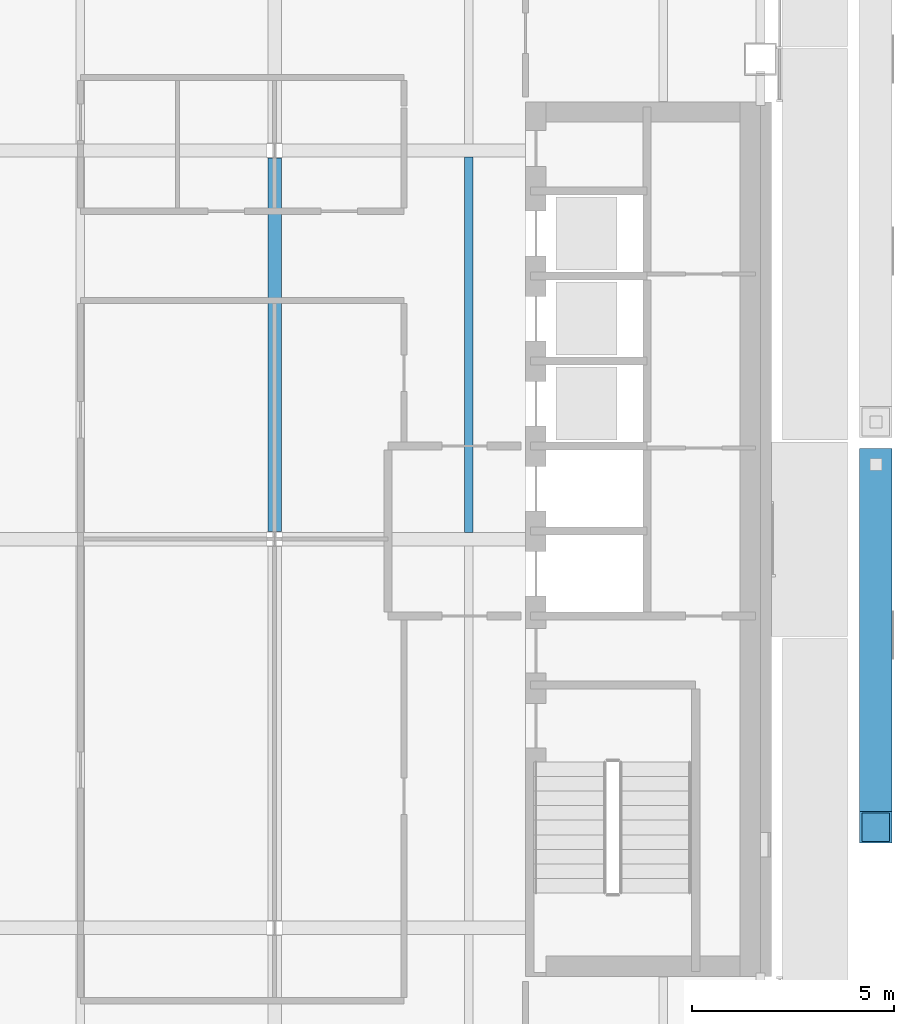
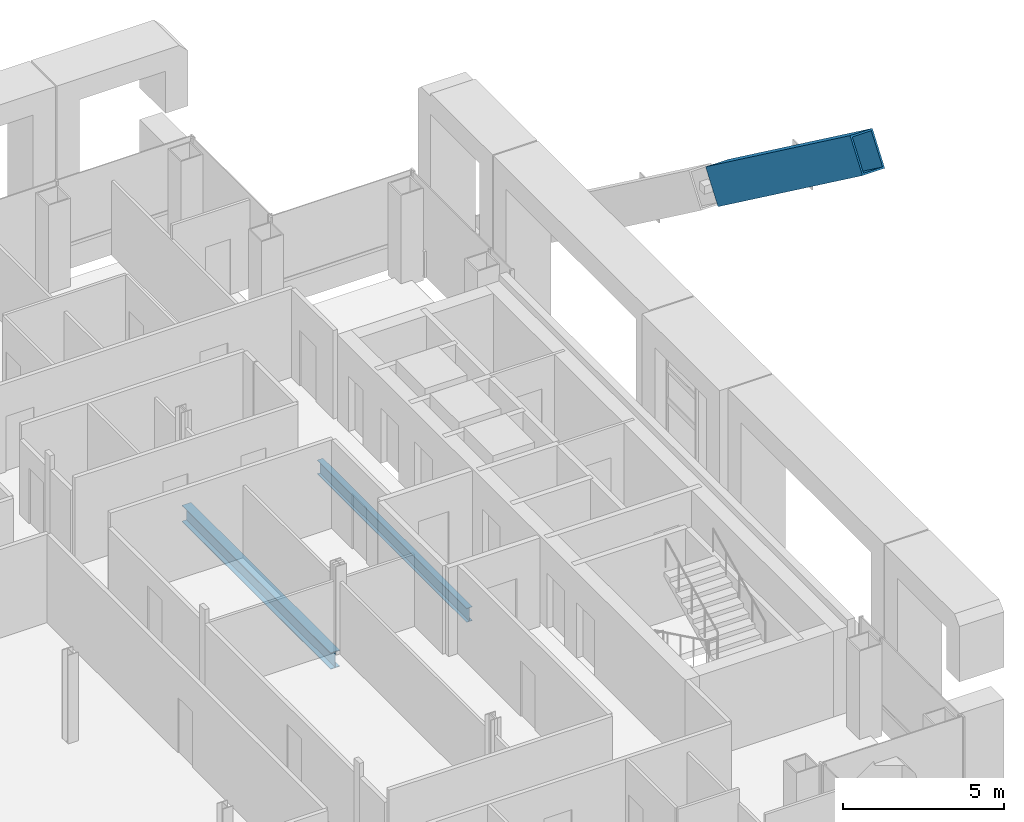
# One storey, part 7 of 22: 2 beams, 1 member.
"""IFC4 building model written with IfcOpenShell, lengths in metres."""

from ifc_helpers import new_model, si_unit, direction, frame, origin, origin_2d, place, context, subcontext, project, spatial, hollow_rectangle, i_section, extrude, material, material_profile, profile_set, type_object, element, save


model = new_model("IFC4")

# Units and contexts
model_context = context("Model", 3, precision=1e-05, world=origin(), true_north=direction((0.0, 1.0)))
body_context = subcontext(model_context, "Body", "Model", "MODEL_VIEW")
ifc_project = project(units=[si_unit("LENGTHUNIT", "METRE"), si_unit("AREAUNIT", "SQUARE_METRE"), si_unit("VOLUMEUNIT", "CUBIC_METRE"), si_unit("PLANEANGLEUNIT", "RADIAN"), si_unit("MASSUNIT", "GRAM", prefix="KILO")], contexts=[model_context])

# Site, building, storey
site_placement = place(None, origin())
site = spatial("IfcSite", under=ifc_project, at=site_placement, CompositionType="ELEMENT")
building_placement = place(site_placement, origin())
building = spatial("IfcBuilding", under=site, at=building_placement, Name="Cobrizo Arcos Hotel Tower", CompositionType="ELEMENT")
storey_placement = place(building_placement, frame((0.0, 0.0, 155.0)))
storey = spatial("IfcBuildingStorey", under=building, at=storey_placement, Name="L39", CompositionType="ELEMENT", Elevation=155.0)

# Member
ifc_material_1 = material(Name="Steel ASTM A572 Grade 50", Category="steel")
ifc_material_profile_1 = material_profile(ifc_material_1, hollow_rectangle(XDim=0.800048828125, YDim=1.300048828125, WallThickness=0.06005859375, at=origin_2d()), Name="BOX 800X1300X60")
ifc_profile_set_1 = profile_set([ifc_material_profile_1], Name="Steel ASTM A572 Grade 50")
member_type = type_object("IfcMemberType", Name="BOX 800X1300X60 perimeter brace", PredefinedType="BRACE", material=ifc_profile_set_1)
member_placement = place(storey_placement, frame((24.449951171875, 1.84814453125, 11.385986328125), z_axis=(0.0, -0.804620954099, 0.593788784186), x_axis=(1.0, 0.0, 0.0)))
element("IfcMember", 1, at=member_placement, inside=storey, type_object=member_type, Name="Perimeter brace PBR3, zone Z3, east face, no. 07b", PredefinedType="BRACE", context=body_context, shape_type="SweptSolid", body=[
    extrude(hollow_rectangle(XDim=0.800048828125, YDim=1.300048828125, WallThickness=0.06005859375, at=origin_2d()), origin(), (0.0, 0.0, 1.0), 11.138671875),
])

# Beams
ifc_material_2 = material(Name="Steel ASTM A992 Grade 50", Category="steel")
ifc_material_profile_2 = material_profile(ifc_material_2, i_section(OverallWidth=0.209228515625, OverallDepth=0.533447265625, WebThickness=0.01025390625, FlangeThickness=0.015625, at=origin_2d()), Name="W21X62")
ifc_profile_set_2 = profile_set([ifc_material_profile_2], Name="Steel ASTM A992 Grade 50")
beam_type_1 = type_object("IfcBeamType", Name="W21X62 joist", PredefinedType="JOIST", material=ifc_profile_set_2)
beam_1_placement = place(storey_placement, frame((14.39990234375, 0.163818359375, -0.416748046875), z_axis=(0.0, 1.0, 0.0), x_axis=(-1.0, 0.0, 0.0)))
element("IfcBeam", 2, at=beam_1_placement, inside=storey, type_object=beam_type_1, Name="Floor joist J1, L39, no. 017", PredefinedType="JOIST", context=body_context, shape_type="SweptSolid", body=[
    extrude(i_section(OverallWidth=0.209228515625, OverallDepth=0.533447265625, WebThickness=0.01025390625, FlangeThickness=0.015625, at=origin_2d()), origin(), (0.0, 0.0, 1.0), 9.272216796875),
])
ifc_material_profile_3 = material_profile(ifc_material_2, i_section(OverallWidth=0.32763671875, OverallDepth=0.622314453125, WebThickness=0.015380859375, FlangeThickness=0.0244140625, at=origin_2d()), Name="W24X131")
ifc_profile_set_3 = profile_set([ifc_material_profile_3], Name="Steel ASTM A992 Grade 50")
beam_type_2 = type_object("IfcBeamType", Name="W24X131 girder", PredefinedType="BEAM", material=ifc_profile_set_3)
beam_2_placement = place(storey_placement, frame((9.60009765625, 0.186767578125, -0.461181640625), z_axis=(0.0, 1.0, 0.0), x_axis=(-1.0, 0.0, 0.0)))
element("IfcBeam", 3, at=beam_2_placement, inside=storey, type_object=beam_type_2, Name="Floor girder G1, L39, no. 023", PredefinedType="BEAM", context=body_context, shape_type="SweptSolid", body=[
    extrude(i_section(OverallWidth=0.32763671875, OverallDepth=0.622314453125, WebThickness=0.015380859375, FlangeThickness=0.0244140625, at=origin_2d()), origin(), (0.0, 0.0, 1.0), 9.2265625),
])

save(model, "model.ifc")
